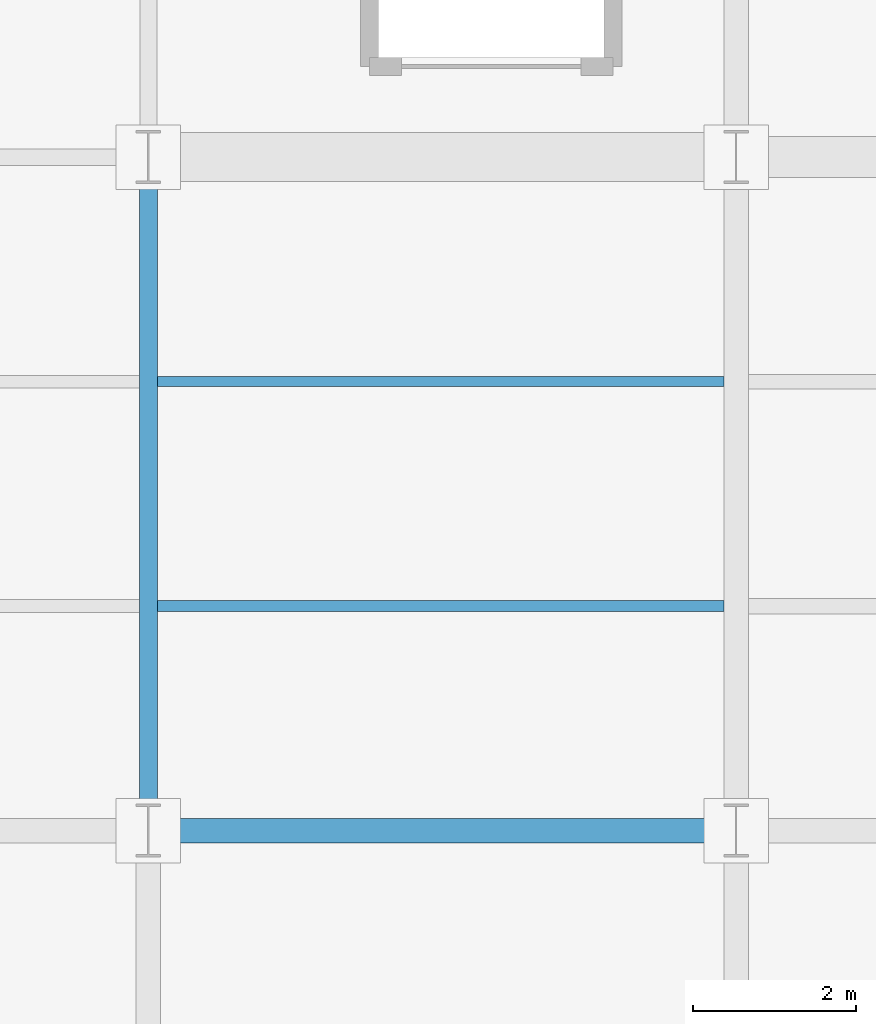
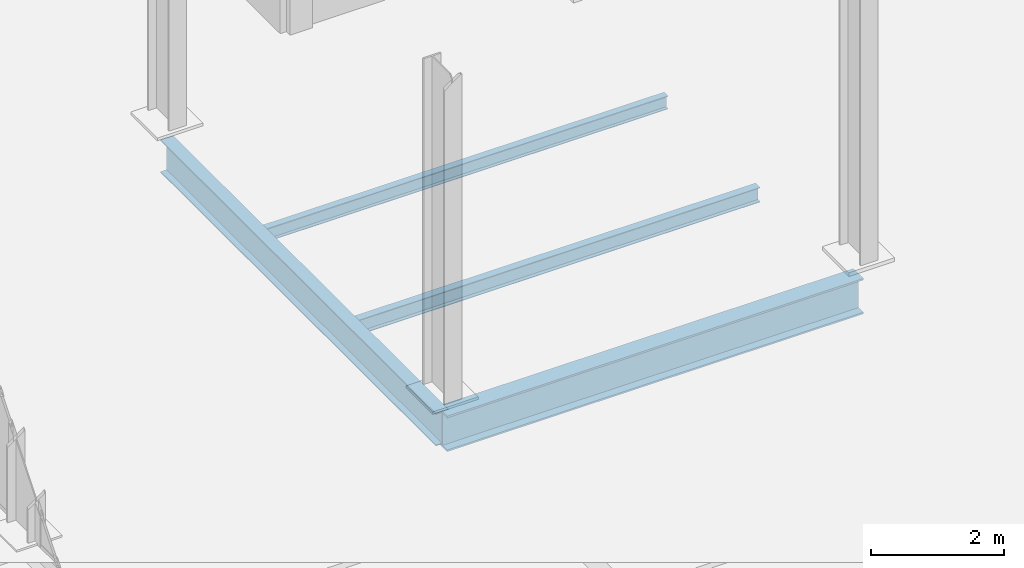
# One storey, part 27 of 144: 4 beams.
"""IFC4 building model written with IfcOpenShell, lengths in metres."""

from ifc_helpers import new_model, si_unit, direction, frame, origin, origin_2d, place, context, subcontext, project, spatial, i_section, extrude, material, material_profile, profile_set, type_object, element, save


model = new_model("IFC4")

# Units and contexts
model_context = context("Model", 3, precision=1e-05, world=origin(), true_north=direction((0.0, 1.0)))
body_context = subcontext(model_context, "Body", "Model", "MODEL_VIEW")
ifc_project = project(units=[si_unit("LENGTHUNIT", "METRE"), si_unit("AREAUNIT", "SQUARE_METRE"), si_unit("VOLUMEUNIT", "CUBIC_METRE"), si_unit("PLANEANGLEUNIT", "RADIAN"), si_unit("MASSUNIT", "GRAM", prefix="KILO")], contexts=[model_context])

# Site, building, storey
site_placement = place(None, origin())
site = spatial("IfcSite", under=ifc_project, at=site_placement, CompositionType="ELEMENT")
building_placement = place(site_placement, origin())
building = spatial("IfcBuilding", under=site, at=building_placement, Name="Sundgate Opera House", CompositionType="ELEMENT")
storey_placement = place(building_placement, origin())
storey = spatial("IfcBuildingStorey", under=building, at=storey_placement, Name="L00", CompositionType="ELEMENT", Elevation=0.0)

# Beams
ifc_material_1 = material(Name="Steel S355J2", Category="steel")
ifc_material_profile_1 = material_profile(ifc_material_1, i_section(OverallWidth=0.300048828125, OverallDepth=0.64990234375, WebThickness=0.01611328125, FlangeThickness=0.031005859375, at=origin_2d()), Name="HEB 650")
ifc_profile_set_1 = profile_set([ifc_material_profile_1], Name="Steel S355J2")
beam_type_1 = type_object("IfcBeamType", Name="BM-GR-HEB650", PredefinedType="BEAM", material=ifc_profile_set_1)
beam_1_placement = place(storey_placement, frame((102.60009765625, 8.25, -0.64501953125), z_axis=(1.0, 0.0, 0.0), x_axis=(0.0, 1.0, 0.0)))
element("IfcBeam", 1, at=beam_1_placement, inside=storey, type_object=beam_type_1, Name="L00 Primary E-W Girder B0345", PredefinedType="BEAM", context=body_context, shape_type="SweptSolid", body=[
    extrude(i_section(OverallWidth=0.300048828125, OverallDepth=0.64990234375, WebThickness=0.01611328125, FlangeThickness=0.031005859375, at=origin_2d()), origin(), (0.0, 0.0, 1.0), 7.199951171875),
])
ifc_material_2 = material(Name="Steel S355J2", Category="steel")
ifc_material_profile_2 = material_profile(ifc_material_2, i_section(OverallWidth=0.219970703125, OverallDepth=0.60009765625, WebThickness=0.011962890625, FlangeThickness=0.01904296875, at=origin_2d()), Name="IPE 600")
ifc_profile_set_2 = profile_set([ifc_material_profile_2], Name="Steel S355J2")
beam_type_2 = type_object("IfcBeamType", Name="BM-GR-IPE600", PredefinedType="BEAM", material=ifc_profile_set_2)
beam_2_placement = place(storey_placement, frame((102.60009765625, 8.25, -0.6201171875), z_axis=(0.0, 1.0, 0.0), x_axis=(-1.0, 0.0, 0.0)))
element("IfcBeam", 2, at=beam_2_placement, inside=storey, type_object=beam_type_2, Name="L00 Primary N-S Girder B0205", PredefinedType="BEAM", context=body_context, shape_type="SweptSolid", body=[
    extrude(i_section(OverallWidth=0.219970703125, OverallDepth=0.60009765625, WebThickness=0.011962890625, FlangeThickness=0.01904296875, at=origin_2d()), origin(), (0.0, 0.0, 1.0), 8.25),
])
ifc_material_3 = material(Name="Steel S355J2", Category="steel")
ifc_material_profile_3 = material_profile(ifc_material_3, i_section(OverallWidth=0.1201171875, OverallDepth=0.239990234375, WebThickness=0.006103515625, FlangeThickness=0.009765625, at=origin_2d()), Name="IPE 240")
ifc_profile_set_3 = profile_set([ifc_material_profile_3], Name="Steel S355J2")
beam_type_3 = type_object("IfcBeamType", Name="BM-JS-IPE240", PredefinedType="JOIST", material=ifc_profile_set_3)
beam_3_placement = place(storey_placement, frame((102.7099609375, 13.75, -0.43994140625), z_axis=(1.0, 0.0, 0.0), x_axis=(0.0, 1.0, 0.0)))
element("IfcBeam", 3, at=beam_3_placement, inside=storey, type_object=beam_type_3, Name="L00 Secondary Floor Joist B0636", PredefinedType="JOIST", context=body_context, shape_type="SweptSolid", body=[
    extrude(i_section(OverallWidth=0.1201171875, OverallDepth=0.239990234375, WebThickness=0.006103515625, FlangeThickness=0.009765625, at=origin_2d()), origin(), (0.0, 0.0, 1.0), 6.93994140625),
])
ifc_material_4 = material(Name="Steel S355J2", Category="steel")
ifc_material_profile_4 = material_profile(ifc_material_4, i_section(OverallWidth=0.135009765625, OverallDepth=0.27001953125, WebThickness=0.006591796875, FlangeThickness=0.01025390625, at=origin_2d()), Name="IPE 270")
ifc_profile_set_4 = profile_set([ifc_material_profile_4], Name="Steel S355J2")
beam_type_4 = type_object("IfcBeamType", Name="BM-JS-IPE270", PredefinedType="JOIST", material=ifc_profile_set_4)
beam_4_placement = place(storey_placement, frame((102.7099609375, 11.0, -0.455078125), z_axis=(1.0, 0.0, 0.0), x_axis=(0.0, 1.0, 0.0)))
element("IfcBeam", 4, at=beam_4_placement, inside=storey, type_object=beam_type_4, Name="L00 Secondary Floor Joist B0635", PredefinedType="JOIST", context=body_context, shape_type="SweptSolid", body=[
    extrude(i_section(OverallWidth=0.135009765625, OverallDepth=0.27001953125, WebThickness=0.006591796875, FlangeThickness=0.01025390625, at=origin_2d()), origin(), (0.0, 0.0, 1.0), 6.93994140625),
])

save(model, "model.ifc")
